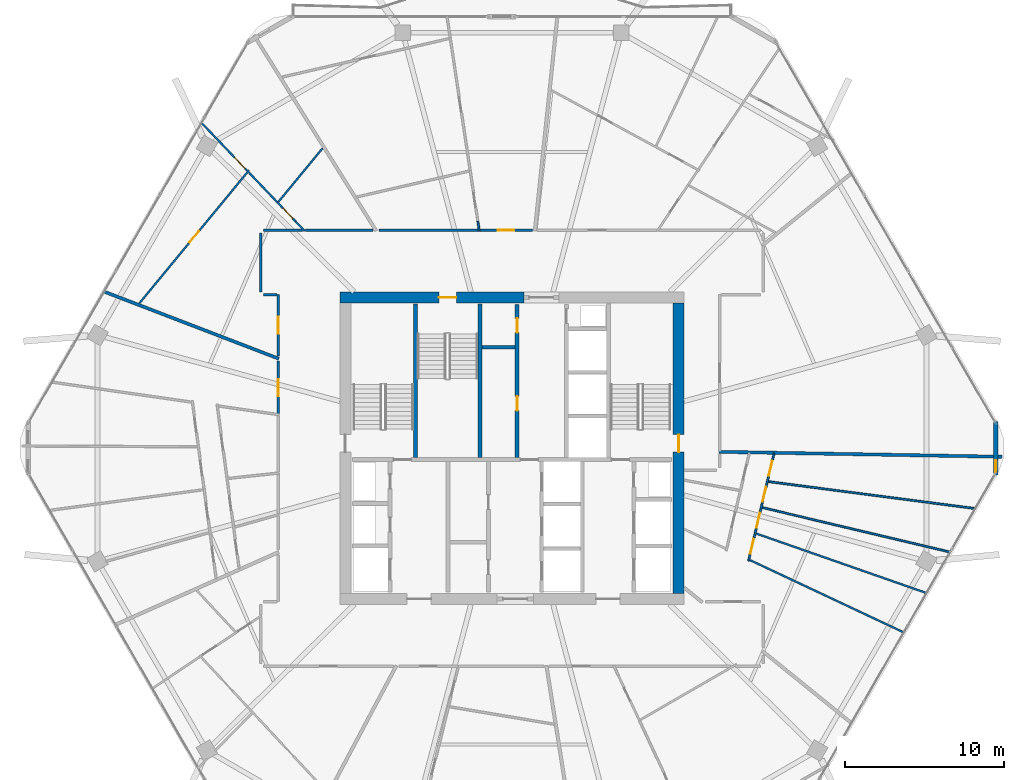
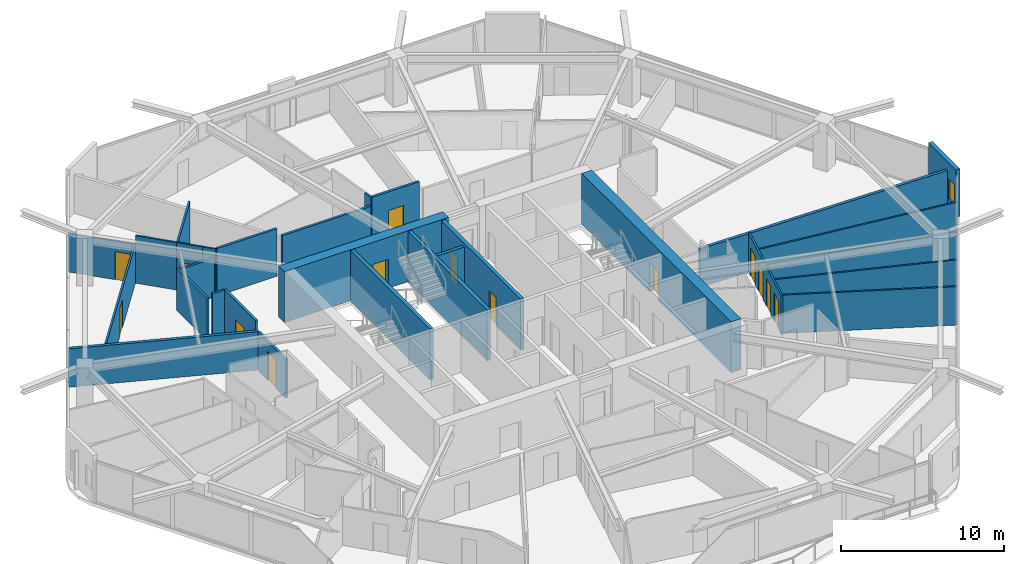
# One storey, part 22 of 27: 29 walls, 14 doors, 1 window, 15 openings.
"""IFC4 building model written with IfcOpenShell, lengths in metres."""

from ifc_helpers import new_model, si_unit, direction, frame, frame_2d, origin, place, context, subcontext, project, spatial, rectangle, extrude, material, layer, layer_set, type_object, element, fill, save


model = new_model("IFC4")

# Units and contexts
model_context = context("Model", 3, precision=1e-05, world=origin(), true_north=direction((0.0, 1.0)))
body_context = subcontext(model_context, "Body", "Model", "MODEL_VIEW")
ifc_project = project(units=[si_unit("LENGTHUNIT", "METRE"), si_unit("AREAUNIT", "SQUARE_METRE"), si_unit("VOLUMEUNIT", "CUBIC_METRE"), si_unit("PLANEANGLEUNIT", "RADIAN"), si_unit("MASSUNIT", "GRAM", prefix="KILO")], contexts=[model_context])

# Site, building, storey
site_placement = place(None, origin())
site = spatial("IfcSite", under=ifc_project, at=site_placement, CompositionType="ELEMENT")
building_placement = place(site_placement, origin())
building = spatial("IfcBuilding", under=site, at=building_placement, Name="Zuhravey Tower", CompositionType="ELEMENT")
storey_placement = place(building_placement, frame((0.0, 0.0, 173.199951171875)))
storey = spatial("IfcBuildingStorey", under=building, at=storey_placement, Name="L43", CompositionType="ELEMENT", Elevation=173.199951171875)

# Wall, opening, door
ifc_material_1 = material(Name="Concrete C60/75", Category="concrete")
ifc_layer_1 = layer(ifc_material_1, 0.699951171875)
ifc_layer_set_1 = layer_set([ifc_layer_1], Name="Concrete C60/75")
wall_type_1 = type_object("IfcWallType", Name="Core Shear Wall 700", PredefinedType="SHEAR", material=ifc_layer_set_1)
wall_1_placement = place(storey_placement, frame((36.75, 41.5, 0.0), z_axis=(0.0, 0.0, 1.0), x_axis=(-1.0, 0.0, 0.0)))
wall_1 = element("IfcWall", 1, at=wall_1_placement, inside=storey, type_object=wall_type_1, Name="L43 North-West Core Shear Wall CW70", PredefinedType="SHEAR", context=body_context, shape_type="SweptSolid", body=[
    extrude(rectangle(XDim=11.60009765625, YDim=0.699951171875, at=frame_2d((5.800048828125, 0.0))), origin(), (0.0, 0.0, 1.0), 3.800048828125),
])
opening_1_placement = place(wall_1_placement, frame((4.25, 0.0, 0.0)))
opening_1 = element("IfcOpeningElement", 2, at=opening_1_placement, cuts=wall_1, Name="Opening STD1", PredefinedType="OPENING", context=body_context, shape_type="SweptSolid", body=[
    extrude(rectangle(XDim=1.10009765625, YDim=2.14990234375, at=frame_2d((0.550048828125, 1.074951171875))), frame((0.0, 0.362060546875, 0.0), z_axis=(0.0, -1.0, 0.0), x_axis=(1.0, 0.0, 0.0)), (0.0, 0.0, 1.0), 0.723876953125),
])
ifc_material_2 = material(Name="Galvanised fire-rated steel leaf", Category="steel")
door_type_1 = type_object("IfcDoorType", Name="Protected Stair Fire Door 1100x2150", OperationType="NOTDEFINED", PredefinedType="USERDEFINED", material=ifc_material_2)
door_1_placement = place(opening_1_placement, origin())
door_1 = element("IfcDoor", 3, at=door_1_placement, inside=storey, type_object=door_type_1, Name="L43 Stair ST3 Door", ObjectType="EXITDOOR", OperationType="SINGLE_SWING_RIGHT", OverallHeight=2.14990234375, OverallWidth=1.10009765625, PredefinedType="USERDEFINED", context=body_context, shape_type="SweptSolid", body=[
    extrude(rectangle(XDim=1.10009765625, YDim=2.14990234375, at=frame_2d((0.550048828125, 1.074951171875))), frame((0.0, 0.02490234375, 0.0), z_axis=(0.0, -1.0, 0.0), x_axis=(1.0, 0.0, 0.0)), (0.0, 0.0, 1.0), 0.050048828125),
])
fill(opening_1, door_1)

wall_2_placement = place(storey_placement, frame((46.5, 22.85009765625, 0.0), z_axis=(0.0, 0.0, 1.0), x_axis=(0.0, 1.0, 0.0)))
wall_2 = element("IfcWall", 4, at=wall_2_placement, inside=storey, type_object=wall_type_1, Name="L43 East Core Shear Wall CW70", PredefinedType="SHEAR", context=body_context, shape_type="SweptSolid", body=[
    extrude(rectangle(XDim=18.2998046875, YDim=0.699951171875, at=frame_2d((9.14990234375, 0.0))), origin(), (0.0, 0.0, 1.0), 3.800048828125),
])
opening_2_placement = place(wall_2_placement, frame((8.89990234375, 0.0, 0.0)))
opening_2 = element("IfcOpeningElement", 5, at=opening_2_placement, cuts=wall_2, Name="Opening STD1", PredefinedType="OPENING", context=body_context, shape_type="SweptSolid", body=[
    extrude(rectangle(XDim=1.10009765625, YDim=2.14990234375, at=frame_2d((0.550048828125, 1.074951171875))), frame((0.0, 0.362060546875, 0.0), z_axis=(0.0, -1.0, 0.0), x_axis=(1.0, 0.0, 0.0)), (0.0, 0.0, 1.0), 0.723876953125),
])
door_2_placement = place(opening_2_placement, origin())
door_2 = element("IfcDoor", 6, at=door_2_placement, inside=storey, type_object=door_type_1, Name="L43 Stair ST2 Door", ObjectType="EXITDOOR", OperationType="SINGLE_SWING_LEFT", OverallHeight=2.14990234375, OverallWidth=1.10009765625, PredefinedType="USERDEFINED", context=body_context, shape_type="SweptSolid", body=[
    extrude(rectangle(XDim=1.10009765625, YDim=2.14990234375, at=frame_2d((0.550048828125, 1.074951171875))), frame((0.0, 0.02490234375, 0.0), z_axis=(0.0, -1.0, 0.0), x_axis=(1.0, 0.0, 0.0)), (0.0, 0.0, 1.0), 0.050048828125),
])
fill(opening_2, door_2)

ifc_material_3 = material(Name="Gypsum fire-rated stud partition")
ifc_layer_2 = layer(ifc_material_3, 0.159912109375)
ifc_layer_set_2 = layer_set([ifc_layer_2], Name="Gypsum fire-rated stud partition")
wall_type_2 = type_object("IfcWallType", Name="Corridor Fire Partition 160", PredefinedType="PARTITIONING", material=ifc_layer_set_2)
wall_3_placement = place(storey_placement, frame((37.302001953125, 45.72998046875, 0.0), z_axis=(0.0, 0.0, 1.0), x_axis=(-1.0, 0.0, 0.0)))
wall_3 = element("IfcWall", 7, at=wall_3_placement, inside=storey, type_object=wall_type_2, Name="L43 IW16 Partition 029", PredefinedType="PARTITIONING", context=body_context, shape_type="SweptSolid", body=[
    extrude(rectangle(XDim=3.348388671875, YDim=0.159912109375, at=frame_2d((1.67431640625, 0.0))), origin(), (0.0, 0.0, 1.0), 3.550048828125),
])
opening_3_placement = place(wall_3_placement, frame((1.149169921875, 0.0, 0.0)))
opening_3 = element("IfcOpeningElement", 8, at=opening_3_placement, cuts=wall_3, Name="Opening APD1", PredefinedType="OPENING", context=body_context, shape_type="SweptSolid", body=[
    extrude(rectangle(XDim=1.050048828125, YDim=2.14990234375, at=frame_2d((0.52490234375, 1.074951171875))), frame((0.0, 0.092041015625, 0.0), z_axis=(0.0, -1.0, 0.0), x_axis=(1.0, 0.0, 0.0)), (0.0, 0.0, 1.0), 0.183837890625),
])
ifc_material_4 = material(Name="Solid-core oak fire-rated leaf")
door_type_2 = type_object("IfcDoorType", Name="Apartment Entrance Fire Door 1050x2150", OperationType="NOTDEFINED", PredefinedType="DOOR", material=ifc_material_4)
door_3_placement = place(opening_3_placement, frame((1.050048828125, 0.0, 0.0), z_axis=(0.0, 0.0, 1.0), x_axis=(-1.0, 0.0, 0.0)))
door_3 = element("IfcDoor", 9, at=door_3_placement, inside=storey, type_object=door_type_2, Name="L43 Door 029.1", OperationType="SINGLE_SWING_LEFT", OverallHeight=2.14990234375, OverallWidth=1.050048828125, PredefinedType="DOOR", context=body_context, shape_type="SweptSolid", body=[
    extrude(rectangle(XDim=1.050048828125, YDim=2.14990234375, at=frame_2d((0.52490234375, 1.074951171875))), frame((0.0, 0.02490234375, 0.0), z_axis=(0.0, -1.0, 0.0), x_axis=(1.0, 0.0, 0.0)), (0.0, 0.0, 1.0), 0.050048828125),
])
fill(opening_3, door_3)

wall_4_placement = place(storey_placement, frame((21.27001953125, 41.669921875, 0.0), z_axis=(0.0, 0.0, 1.0), x_axis=(0.0, -1.0, 0.0)))
wall_4 = element("IfcWall", 10, at=wall_4_placement, inside=storey, type_object=wall_type_2, Name="L43 IW16 Partition 034", PredefinedType="PARTITIONING", context=body_context, shape_type="SweptSolid", body=[
    extrude(rectangle(XDim=3.84619140625, YDim=0.159912109375, at=frame_2d((1.923095703125, 0.0))), origin(), (0.0, 0.0, 1.0), 3.550048828125),
])
opening_4_placement = place(wall_4_placement, frame((1.398193359375, 0.0, 0.0)))
opening_4 = element("IfcOpeningElement", 11, at=opening_4_placement, cuts=wall_4, Name="Opening APD1", PredefinedType="OPENING", context=body_context, shape_type="SweptSolid", body=[
    extrude(rectangle(XDim=1.050048828125, YDim=2.14990234375, at=frame_2d((0.52490234375, 1.074951171875))), frame((0.0, 0.092041015625, 0.0), z_axis=(0.0, -1.0, 0.0), x_axis=(1.0, 0.0, 0.0)), (0.0, 0.0, 1.0), 0.183837890625),
])
door_4_placement = place(opening_4_placement, frame((1.050048828125, 0.0, 0.0), z_axis=(0.0, 0.0, 1.0), x_axis=(-1.0, 0.0, 0.0)))
door_4 = element("IfcDoor", 12, at=door_4_placement, inside=storey, type_object=door_type_2, Name="L43 Door 034.1", OperationType="SINGLE_SWING_LEFT", OverallHeight=2.14990234375, OverallWidth=1.050048828125, PredefinedType="DOOR", context=body_context, shape_type="SweptSolid", body=[
    extrude(rectangle(XDim=1.050048828125, YDim=2.14990234375, at=frame_2d((0.52490234375, 1.074951171875))), frame((0.0, 0.02490234375, 0.0), z_axis=(0.0, -1.0, 0.0), x_axis=(1.0, 0.0, 0.0)), (0.0, 0.0, 1.0), 0.050048828125),
])
fill(opening_4, door_4)

wall_5_placement = place(storey_placement, frame((21.27001953125, 37.486083984375, 0.0), z_axis=(0.0, 0.0, 1.0), x_axis=(0.0, -1.0, 0.0)))
wall_5 = element("IfcWall", 13, at=wall_5_placement, inside=storey, type_object=wall_type_2, Name="L43 IW16 Partition 037", PredefinedType="PARTITIONING", context=body_context, shape_type="SweptSolid", body=[
    extrude(rectangle(XDim=3.348388671875, YDim=0.159912109375, at=frame_2d((1.67431640625, 0.0))), origin(), (0.0, 0.0, 1.0), 2.900146484375),
])
opening_5_placement = place(wall_5_placement, frame((1.149169921875, 0.0, 0.0)))
opening_5 = element("IfcOpeningElement", 14, at=opening_5_placement, cuts=wall_5, Name="Opening APD1", PredefinedType="OPENING", context=body_context, shape_type="SweptSolid", body=[
    extrude(rectangle(XDim=1.050048828125, YDim=2.14990234375, at=frame_2d((0.52490234375, 1.074951171875))), frame((0.0, 0.092041015625, 0.0), z_axis=(0.0, -1.0, 0.0), x_axis=(1.0, 0.0, 0.0)), (0.0, 0.0, 1.0), 0.183837890625),
])
door_5_placement = place(opening_5_placement, frame((1.050048828125, 0.0, 0.0), z_axis=(0.0, 0.0, 1.0), x_axis=(-1.0, 0.0, 0.0)))
door_5 = element("IfcDoor", 15, at=door_5_placement, inside=storey, type_object=door_type_2, Name="L43 Door 037.1", OperationType="SINGLE_SWING_LEFT", OverallHeight=2.14990234375, OverallWidth=1.050048828125, PredefinedType="DOOR", context=body_context, shape_type="SweptSolid", body=[
    extrude(rectangle(XDim=1.050048828125, YDim=2.14990234375, at=frame_2d((0.52490234375, 1.074951171875))), frame((0.0, 0.02490234375, 0.0), z_axis=(0.0, -1.0, 0.0), x_axis=(1.0, 0.0, 0.0)), (0.0, 0.0, 1.0), 0.050048828125),
])
fill(opening_5, door_5)

# Walls
wall_6_placement = place(storey_placement, frame((33.864501953125, 45.72998046875, 0.0), z_axis=(0.0, 0.0, 1.0), x_axis=(-1.0, 0.0, 0.0)))
element("IfcWall", 16, at=wall_6_placement, inside=storey, type_object=wall_type_2, Name="L43 IW16 Partition 106", PredefinedType="PARTITIONING", context=body_context, shape_type="SweptSolid", body=[
    extrude(rectangle(XDim=6.2548828125, YDim=0.159912109375, at=frame_2d((3.12744140625, 0.0))), origin(), (0.0, 0.0, 1.0), 2.900146484375),
])
wall_7_placement = place(storey_placement, frame((20.169921875, 45.550048828125, 0.0), z_axis=(0.0, 0.0, 1.0), x_axis=(0.0, -1.0, 0.0)))
element("IfcWall", 17, at=wall_7_placement, inside=storey, type_object=wall_type_2, Name="L43 IW16 Partition 107", PredefinedType="PARTITIONING", context=body_context, shape_type="SweptSolid", body=[
    extrude(rectangle(XDim=3.699951171875, YDim=0.159912109375, at=frame_2d((1.85009765625, 0.0))), origin(), (0.0, 0.0, 1.0), 3.150146484375),
])
wall_8_placement = place(storey_placement, frame((22.8037109375, 45.72998046875, 0.0), z_axis=(0.0, 0.0, 1.0), x_axis=(-1.0, 0.0, 0.0)))
element("IfcWall", 18, at=wall_8_placement, inside=storey, type_object=wall_type_2, Name="L43 IW16 Partition 108", PredefinedType="PARTITIONING", context=body_context, shape_type="SweptSolid", body=[
    extrude(rectangle(XDim=2.45361328125, YDim=0.159912109375, at=frame_2d((1.226806640625, 0.0))), origin(), (0.0, 0.0, 1.0), 2.900146484375),
])
wall_9_placement = place(storey_placement, frame((20.35009765625, 41.669921875, 0.0), z_axis=(0.0, 0.0, 1.0), x_axis=(1.0, 0.0, 0.0)))
element("IfcWall", 19, at=wall_9_placement, inside=storey, type_object=wall_type_2, Name="L43 IW16 Partition 109", PredefinedType="PARTITIONING", context=body_context, shape_type="SweptSolid", body=[
    extrude(rectangle(XDim=0.831787109375, YDim=0.159912109375, at=frame_2d((0.416015625, 0.0))), origin(), (0.0, 0.0, 1.0), 3.550048828125),
])
wall_10_placement = place(storey_placement, frame((27.229248046875, 45.72998046875, 0.0), z_axis=(0.0, 0.0, 1.0), x_axis=(-1.0, 0.0, 0.0)))
element("IfcWall", 20, at=wall_10_placement, inside=storey, type_object=wall_type_2, Name="L43 IW16 Partition 110", PredefinedType="PARTITIONING", context=body_context, shape_type="SweptSolid", body=[
    extrude(rectangle(XDim=4.241455078125, YDim=0.159912109375, at=frame_2d((2.12060546875, 0.0))), origin(), (0.0, 0.0, 1.0), 3.550048828125),
])

# Wall, opening, window
ifc_material_5 = material(Name="Precast concrete C40/50", Category="concrete")
ifc_layer_3 = layer(ifc_material_5, 0.280029296875)
ifc_layer_set_3 = layer_set([ifc_layer_3], Name="Precast concrete C40/50")
wall_type_3 = type_object("IfcWallType", Name="Crown Architectural Wall 280", PredefinedType="SOLIDWALL", material=ifc_layer_set_3)
wall_11_placement = place(storey_placement, frame((66.4716796875, 33.6826171875, 0.0), z_axis=(0.0, 0.0, 1.0), x_axis=(0.0, -1.0, 0.0)))
wall_11 = element("IfcWall", 21, at=wall_11_placement, inside=storey, type_object=wall_type_3, Name="L43 Rounded Corner Closure Wall EW28-12", PredefinedType="SOLIDWALL", context=body_context, shape_type="SweptSolid", body=[
    extrude(rectangle(XDim=3.365234375, YDim=0.280029296875, at=frame_2d((1.6826171875, 0.0))), origin(), (0.0, 0.0, 1.0), 3.550048828125),
])
opening_6_placement = place(wall_11_placement, frame((2.435791015625, 0.0, 0.85009765625)))
opening_6 = element("IfcOpeningElement", 22, at=opening_6_placement, cuts=wall_11, Name="Opening WN5", PredefinedType="OPENING", context=body_context, shape_type="SweptSolid", body=[
    extrude(rectangle(XDim=0.75, YDim=1.5, at=frame_2d((0.375, 0.75))), frame((0.0, 0.152099609375, 0.0), z_axis=(0.0, -1.0, 0.0), x_axis=(1.0, 0.0, 0.0)), (0.0, 0.0, 1.0), 0.303955078125),
])
ifc_material_6 = material(Name="Thermally broken aluminium and triple low-E glass", Category="aluminium")
window_type = type_object("IfcWindowType", Name="Residential Corner Casement Window 750x1500", PartitioningType="SINGLE_PANEL", PredefinedType="WINDOW", material=ifc_material_6)
window_placement = place(opening_6_placement, origin())
window = element("IfcWindow", 23, at=window_placement, inside=storey, type_object=window_type, Name="L43 Corner Casement Window WN5-12.1", OverallHeight=1.5, OverallWidth=0.75, PartitioningType="SINGLE_PANEL", PredefinedType="WINDOW", context=body_context, shape_type="SweptSolid", body=[
    extrude(rectangle(XDim=0.75, YDim=1.5, at=frame_2d((0.375, 0.75))), frame((0.0, 0.030029296875, 0.0), z_axis=(0.0, -1.0, 0.0), x_axis=(1.0, 0.0, 0.0)), (0.0, 0.0, 1.0), 0.06005859375),
])
fill(opening_6, window)

# Walls
ifc_material_7 = material(Name="Concrete C50/60", Category="concrete")
ifc_layer_4 = layer(ifc_material_7, 0.25)
ifc_layer_set_4 = layer_set([ifc_layer_4], Name="Concrete C50/60")
wall_type_4 = type_object("IfcWallType", Name="Firefighting Shaft & Stair Wall 250", PredefinedType="SOLIDWALL", material=ifc_layer_set_4)
for number, where, z_axis, x_axis, name in (
    (24, (29.925048828125, 31.39990234375, 0.0), (0.0, 0.0, 1.0), (0.0, 1.0, 0.0), "L43 FW25 Shaft Wall 004"),
    (25, (33.97509765625, 31.39990234375, 0.0), (0.0, 0.0, 1.0), (0.0, 1.0, 0.0), "L43 FW25 Shaft Wall 005"),
):
    element("IfcWall", number, at=place(storey_placement, frame(where, z_axis=z_axis, x_axis=x_axis)), inside=storey, type_object=wall_type_4, Name=name, PredefinedType="SOLIDWALL", context=body_context, shape_type="SweptSolid", body=[
        extrude(rectangle(XDim=9.7001953125, YDim=0.25, at=frame_2d((4.85009765625, 0.0))), origin(), (0.0, 0.0, 1.0), 3.800048828125),
    ])

# Wall, openings, doors
wall_12_placement = place(storey_placement, frame((36.324951171875, 31.39990234375, 0.0), z_axis=(0.0, 0.0, 1.0), x_axis=(0.0, 1.0, 0.0)))
wall_12 = element("IfcWall", 26, at=wall_12_placement, inside=storey, type_object=wall_type_4, Name="L43 FW25 Shaft Wall 007", PredefinedType="SOLIDWALL", context=body_context, shape_type="SweptSolid", body=[
    extrude(rectangle(XDim=9.650146484375, YDim=0.25, at=frame_2d((4.8251953125, 0.0))), origin(), (0.0, 0.0, 1.0), 3.800048828125),
])
opening_7_placement = place(wall_12_placement, frame((2.965087890625, 0.0, 0.0)))
opening_7 = element("IfcOpeningElement", 27, at=opening_7_placement, cuts=wall_12, Name="Opening RSD1", PredefinedType="OPENING", context=body_context, shape_type="SweptSolid", body=[
    extrude(rectangle(XDim=0.89990234375, YDim=2.10009765625, at=frame_2d((0.449951171875, 1.050048828125))), frame((0.0, 0.136962890625, 0.0), z_axis=(0.0, -1.0, 0.0), x_axis=(1.0, 0.0, 0.0)), (0.0, 0.0, 1.0), 0.27392578125),
])
opening_8_placement = place(wall_12_placement, frame((7.885009765625, 0.0, 0.0)))
opening_8 = element("IfcOpeningElement", 28, at=opening_8_placement, cuts=wall_12, Name="Opening RSD1", PredefinedType="OPENING", context=body_context, shape_type="SweptSolid", body=[
    extrude(rectangle(XDim=0.89990234375, YDim=2.10009765625, at=frame_2d((0.449951171875, 1.050048828125))), frame((0.0, 0.136962890625, 0.0), z_axis=(0.0, -1.0, 0.0), x_axis=(1.0, 0.0, 0.0)), (0.0, 0.0, 1.0), 0.27392578125),
])
ifc_material_8 = material(Name="Galvanised fire-rated steel access leaf", Category="steel")
door_type_3 = type_object("IfcDoorType", Name="Riser & Shaft Access Fire Door 900x2100", OperationType="NOTDEFINED", PredefinedType="DOOR", material=ifc_material_8)
door_6_placement = place(opening_7_placement, origin())
door_6 = element("IfcDoor", 29, at=door_6_placement, inside=storey, type_object=door_type_3, Name="L43 Equipment and Refuse Store Door", OperationType="SINGLE_SWING_RIGHT", OverallHeight=2.10009765625, OverallWidth=0.89990234375, PredefinedType="DOOR", context=body_context, shape_type="SweptSolid", body=[
    extrude(rectangle(XDim=0.89990234375, YDim=2.10009765625, at=frame_2d((0.449951171875, 1.050048828125))), frame((0.0, 0.02490234375, 0.0), z_axis=(0.0, -1.0, 0.0), x_axis=(1.0, 0.0, 0.0)), (0.0, 0.0, 1.0), 0.050048828125),
])
fill(opening_7, door_6)
door_7_placement = place(opening_8_placement, origin())
door_7 = element("IfcDoor", 30, at=door_7_placement, inside=storey, type_object=door_type_3, Name="L43 BMS Control Room Door", OperationType="SINGLE_SWING_LEFT", OverallHeight=2.10009765625, OverallWidth=0.89990234375, PredefinedType="DOOR", context=body_context, shape_type="SweptSolid", body=[
    extrude(rectangle(XDim=0.89990234375, YDim=2.10009765625, at=frame_2d((0.449951171875, 1.050048828125))), frame((0.0, 0.02490234375, 0.0), z_axis=(0.0, -1.0, 0.0), x_axis=(1.0, 0.0, 0.0)), (0.0, 0.0, 1.0), 0.050048828125),
])
fill(opening_8, door_7)

# Walls
ifc_material_9 = material(Name="Gypsum double-stud party assembly")
ifc_layer_5 = layer(ifc_material_9, 0.199951171875)
ifc_layer_set_5 = layer_set([ifc_layer_5], Name="Gypsum double-stud party assembly")
wall_type_5 = type_object("IfcWallType", Name="Inter-Tenancy Party Wall 200", PredefinedType="PARTITIONING", material=ifc_layer_set_5)
wall_13_placement = place(storey_placement, frame((21.31005859375, 37.638916015625, 0.0), z_axis=(0.0, 0.0, 1.0), x_axis=(-0.93357709865, 0.358376618762, 0.0)))
element("IfcWall", 31, at=wall_13_placement, inside=storey, type_object=wall_type_5, Name="L43 IW20 Partition 073", PredefinedType="PARTITIONING", context=body_context, shape_type="SweptSolid", body=[
    extrude(rectangle(XDim=11.786865234375, YDim=0.199951171875, at=frame_2d((5.8935546875, 0.0))), origin(), (0.0, 0.0, 1.0), 2.8701171875),
])
wall_14_placement = place(storey_placement, frame((49.0400390625, 31.7724609375, 0.0), z_axis=(0.0, 0.0, 1.0), x_axis=(0.999847668402, -0.017453939101, 0.0)))
element("IfcWall", 32, at=wall_14_placement, inside=storey, type_object=wall_type_5, Name="L43 IW20 Partition 103", PredefinedType="PARTITIONING", context=body_context, shape_type="SweptSolid", body=[
    extrude(rectangle(XDim=17.8203125, YDim=0.199951171875, at=frame_2d((8.91015625, 0.0))), origin(), (0.0, 0.0, 1.0), 2.8701171875),
])
ifc_material_10 = material(Name="Gypsum acoustic stud assembly")
ifc_layer_6 = layer(ifc_material_10, 0.219970703125)
ifc_layer_set_6 = layer_set([ifc_layer_6], Name="Gypsum acoustic stud assembly")
wall_type_6 = type_object("IfcWallType", Name="School Acoustic Compartment Wall 220", PredefinedType="PARTITIONING", material=ifc_layer_set_6)
wall_15_placement = place(storey_placement, frame((34.10791015625, 38.35009765625, 0.0), z_axis=(0.0, 0.0, 1.0), x_axis=(1.0, 0.0, 0.0)))
element("IfcWall", 33, at=wall_15_placement, inside=storey, type_object=wall_type_6, Name="L43 IW22 Partition 055", PredefinedType="PARTITIONING", context=body_context, shape_type="SweptSolid", body=[
    extrude(rectangle(XDim=2.083984375, YDim=0.219970703125, at=frame_2d((1.0419921875, 0.0))), origin(), (0.0, 0.0, 1.0), 3.550048828125),
])

# Wall, opening, door
ifc_material_11 = material(Name="Gypsum metal-stud partition")
ifc_layer_7 = layer(ifc_material_11, 0.1201171875)
ifc_layer_set_7 = layer_set([ifc_layer_7], Name="Gypsum metal-stud partition")
wall_type_7 = type_object("IfcWallType", Name="Unit Internal Partition 120", PredefinedType="PARTITIONING", material=ifc_layer_set_7)
wall_16_placement = place(storey_placement, frame((19.4296875, 49.5087890625, 0.0), z_axis=(0.0, 0.0, 1.0), x_axis=(-0.636077930037, -0.771624822643, 0.0)))
wall_16 = element("IfcWall", 34, at=wall_16_placement, inside=storey, type_object=wall_type_7, Name="L43 IW12 Partition 030", PredefinedType="PARTITIONING", context=body_context, shape_type="SweptSolid", body=[
    extrude(rectangle(XDim=10.848388671875, YDim=0.1201171875, at=frame_2d((5.42431640625, 0.0))), origin(), (0.0, 0.0, 1.0), 2.900146484375),
])
opening_9_placement = place(wall_16_placement, frame((4.94921875, 0.0, 0.0)))
opening_9 = element("IfcOpeningElement", 35, at=opening_9_placement, cuts=wall_16, Name="Opening IND1", PredefinedType="OPENING", context=body_context, shape_type="SweptSolid", body=[
    extrude(rectangle(XDim=0.949951171875, YDim=2.10009765625, at=frame_2d((0.47509765625, 1.050048828125))), frame((0.0, 0.072021484375, 0.0), z_axis=(0.0, -1.0, 0.0), x_axis=(1.0, 0.0, 0.0)), (0.0, 0.0, 1.0), 0.14404296875),
])
ifc_material_12 = material(Name="Painted engineered timber leaf", Category="wood")
door_type_4 = type_object("IfcDoorType", Name="Internal Room & Bedroom Door 950x2100", OperationType="NOTDEFINED", PredefinedType="DOOR", material=ifc_material_12)
door_8_placement = place(opening_9_placement, frame((0.949951171875, 0.0, 0.0), z_axis=(0.0, 0.0, 1.0), x_axis=(-1.0, 0.0, 0.0)))
door_8 = element("IfcDoor", 36, at=door_8_placement, inside=storey, type_object=door_type_4, Name="Apartment L43-03 Family Study Door", OperationType="SINGLE_SWING_RIGHT", OverallHeight=2.10009765625, OverallWidth=0.949951171875, PredefinedType="DOOR", context=body_context, shape_type="SweptSolid", body=[
    extrude(rectangle(XDim=0.949951171875, YDim=2.10009765625, at=frame_2d((0.47509765625, 1.050048828125))), frame((0.0, 0.02490234375, 0.0), z_axis=(0.0, -1.0, 0.0), x_axis=(1.0, 0.0, 0.0)), (0.0, 0.0, 1.0), 0.050048828125),
])
fill(opening_9, door_8)

wall_17_placement = place(storey_placement, frame((22.353759765625, 46.300048828125, 0.0), z_axis=(0.0, 0.0, 1.0), x_axis=(-0.690394331583, 0.723433249801, 0.0)))
wall_17 = element("IfcWall", 37, at=wall_17_placement, inside=storey, type_object=wall_type_7, Name="L43 IW12 Partition 031", PredefinedType="PARTITIONING", context=body_context, shape_type="SweptSolid", body=[
    extrude(rectangle(XDim=1.640380859375, YDim=0.1201171875, at=frame_2d((0.8203125, 0.0))), origin(), (0.0, 0.0, 1.0), 3.550048828125),
])
opening_10_placement = place(wall_17_placement, frame((0.239013671875, 0.0, 0.0)))
opening_10 = element("IfcOpeningElement", 38, at=opening_10_placement, cuts=wall_17, Name="Opening WCD1", PredefinedType="OPENING", context=body_context, shape_type="SweptSolid", body=[
    extrude(rectangle(XDim=0.89990234375, YDim=2.10009765625, at=frame_2d((0.449951171875, 1.050048828125))), frame((0.0, 0.072021484375, 0.0), z_axis=(0.0, -1.0, 0.0), x_axis=(1.0, 0.0, 0.0)), (0.0, 0.0, 1.0), 0.14404296875),
])
ifc_material_13 = material(Name="Moisture-resistant timber leaf", Category="wood")
door_type_5 = type_object("IfcDoorType", Name="Bathroom & WC Internal Door 900x2100", OperationType="NOTDEFINED", PredefinedType="DOOR", material=ifc_material_13)
door_9_placement = place(opening_10_placement, frame((0.89990234375, 0.0, 0.0), z_axis=(0.0, 0.0, 1.0), x_axis=(-1.0, 0.0, 0.0)))
door_9 = element("IfcDoor", 39, at=door_9_placement, inside=storey, type_object=door_type_5, Name="Apartment L43-03 Bathroom Door", OperationType="SINGLE_SWING_LEFT", OverallHeight=2.10009765625, OverallWidth=0.89990234375, PredefinedType="DOOR", context=body_context, shape_type="SweptSolid", body=[
    extrude(rectangle(XDim=0.89990234375, YDim=2.10009765625, at=frame_2d((0.449951171875, 1.050048828125))), frame((0.0, 0.02490234375, 0.0), z_axis=(0.0, -1.0, 0.0), x_axis=(1.0, 0.0, 0.0)), (0.0, 0.0, 1.0), 0.050048828125),
])
fill(opening_10, door_9)

# Wall
wall_18_placement = place(storey_placement, frame((21.22119140625, 47.48681640625, 0.0), z_axis=(0.0, 0.0, 1.0), x_axis=(-0.690367102985, 0.723459233901, 0.0)))
element("IfcWall", 40, at=wall_18_placement, inside=storey, type_object=wall_type_7, Name="L43 IW12 Partition 032", PredefinedType="PARTITIONING", context=body_context, shape_type="SweptSolid", body=[
    extrude(rectangle(XDim=2.619140625, YDim=0.1201171875, at=frame_2d((1.3095703125, 0.0))), origin(), (0.0, 0.0, 1.0), 3.550048828125),
])

# Wall, opening, door
wall_19_placement = place(storey_placement, frame((19.318603515625, 49.480712890625, 0.0), z_axis=(0.0, 0.0, 1.0), x_axis=(-0.690401934282, 0.723425994238, 0.0)))
wall_19 = element("IfcWall", 41, at=wall_19_placement, inside=storey, type_object=wall_type_7, Name="L43 IW12 Partition 033", PredefinedType="PARTITIONING", context=body_context, shape_type="SweptSolid", body=[
    extrude(rectangle(XDim=4.16943359375, YDim=0.1201171875, at=frame_2d((2.084716796875, 0.0))), origin(), (0.0, 0.0, 1.0), 2.8701171875),
])
opening_11_placement = place(wall_19_placement, frame((0.206787109375, 0.0, 0.0)))
opening_11 = element("IfcOpeningElement", 42, at=opening_11_placement, cuts=wall_19, Name="Opening IND1", PredefinedType="OPENING", context=body_context, shape_type="SweptSolid", body=[
    extrude(rectangle(XDim=0.949951171875, YDim=2.10009765625, at=frame_2d((0.47509765625, 1.050048828125))), frame((0.0, 0.072021484375, 0.0), z_axis=(0.0, -1.0, 0.0), x_axis=(1.0, 0.0, 0.0)), (0.0, 0.0, 1.0), 0.14404296875),
])
door_10_placement = place(opening_11_placement, frame((0.949951171875, 0.0, 0.0), z_axis=(0.0, 0.0, 1.0), x_axis=(-1.0, 0.0, 0.0)))
door_10 = element("IfcDoor", 43, at=door_10_placement, inside=storey, type_object=door_type_4, Name="Apartment L43-03 Bedroom 1 Door", OperationType="SINGLE_SWING_RIGHT", OverallHeight=2.10009765625, OverallWidth=0.949951171875, PredefinedType="DOOR", context=body_context, shape_type="SweptSolid", body=[
    extrude(rectangle(XDim=0.949951171875, YDim=2.10009765625, at=frame_2d((0.47509765625, 1.050048828125))), frame((0.0, 0.02490234375, 0.0), z_axis=(0.0, -1.0, 0.0), x_axis=(1.0, 0.0, 0.0)), (0.0, 0.0, 1.0), 0.050048828125),
])
fill(opening_11, door_10)

# Wall, openings, doors
wall_20_placement = place(storey_placement, frame((50.901123046875, 24.8837890625, 0.0), z_axis=(0.0, 0.0, 1.0), x_axis=(0.230727269758, 0.973018461793, 0.0)))
wall_20 = element("IfcWall", 44, at=wall_20_placement, inside=storey, type_object=wall_type_7, Name="L43 IW12 Partition 052", PredefinedType="PARTITIONING", context=body_context, shape_type="SweptSolid", body=[
    extrude(rectangle(XDim=6.97216796875, YDim=0.1201171875, at=frame_2d((3.486083984375, 0.0))), origin(), (0.0, 0.0, 1.0), 2.900146484375),
])
opening_12_placement = place(wall_20_placement, frame((0.481201171875, 0.0, 0.0)))
opening_12 = element("IfcOpeningElement", 45, at=opening_12_placement, cuts=wall_20, Name="Opening IND1", PredefinedType="OPENING", context=body_context, shape_type="SweptSolid", body=[
    extrude(rectangle(XDim=0.949951171875, YDim=2.10009765625, at=frame_2d((0.47509765625, 1.050048828125))), frame((0.0, 0.072021484375, 0.0), z_axis=(0.0, -1.0, 0.0), x_axis=(1.0, 0.0, 0.0)), (0.0, 0.0, 1.0), 0.14404296875),
])
opening_13_placement = place(wall_20_placement, frame((2.173828125, 0.0, 0.0)))
opening_13 = element("IfcOpeningElement", 46, at=opening_13_placement, cuts=wall_20, Name="Opening IND1", PredefinedType="OPENING", context=body_context, shape_type="SweptSolid", body=[
    extrude(rectangle(XDim=0.949951171875, YDim=2.10009765625, at=frame_2d((0.47509765625, 1.050048828125))), frame((0.0, 0.072021484375, 0.0), z_axis=(0.0, -1.0, 0.0), x_axis=(1.0, 0.0, 0.0)), (0.0, 0.0, 1.0), 0.14404296875),
])
opening_14_placement = place(wall_20_placement, frame((3.84814453125, 0.0, 0.0)))
opening_14 = element("IfcOpeningElement", 47, at=opening_14_placement, cuts=wall_20, Name="Opening IND1", PredefinedType="OPENING", context=body_context, shape_type="SweptSolid", body=[
    extrude(rectangle(XDim=0.949951171875, YDim=2.10009765625, at=frame_2d((0.47509765625, 1.050048828125))), frame((0.0, 0.072021484375, 0.0), z_axis=(0.0, -1.0, 0.0), x_axis=(1.0, 0.0, 0.0)), (0.0, 0.0, 1.0), 0.14404296875),
])
opening_15_placement = place(wall_20_placement, frame((5.540771484375, 0.0, 0.0)))
opening_15 = element("IfcOpeningElement", 48, at=opening_15_placement, cuts=wall_20, Name="Opening IND1", PredefinedType="OPENING", context=body_context, shape_type="SweptSolid", body=[
    extrude(rectangle(XDim=0.949951171875, YDim=2.10009765625, at=frame_2d((0.47509765625, 1.050048828125))), frame((0.0, 0.072021484375, 0.0), z_axis=(0.0, -1.0, 0.0), x_axis=(1.0, 0.0, 0.0)), (0.0, 0.0, 1.0), 0.14404296875),
])
door_11_placement = place(opening_12_placement, frame((0.949951171875, 0.0, 0.0), z_axis=(0.0, 0.0, 1.0), x_axis=(-1.0, 0.0, 0.0)))
door_11 = element("IfcDoor", 49, at=door_11_placement, inside=storey, type_object=door_type_4, Name="Apartment L43-08 Bedroom 1 Door", OperationType="SINGLE_SWING_LEFT", OverallHeight=2.10009765625, OverallWidth=0.949951171875, PredefinedType="DOOR", context=body_context, shape_type="SweptSolid", body=[
    extrude(rectangle(XDim=0.949951171875, YDim=2.10009765625, at=frame_2d((0.47509765625, 1.050048828125))), frame((0.0, 0.02490234375, 0.0), z_axis=(0.0, -1.0, 0.0), x_axis=(1.0, 0.0, 0.0)), (0.0, 0.0, 1.0), 0.050048828125),
])
fill(opening_12, door_11)
door_12_placement = place(opening_13_placement, frame((0.949951171875, 0.0, 0.0), z_axis=(0.0, 0.0, 1.0), x_axis=(-1.0, 0.0, 0.0)))
door_12 = element("IfcDoor", 50, at=door_12_placement, inside=storey, type_object=door_type_4, Name="Apartment L43-08 Bedroom 2 Door", OperationType="SINGLE_SWING_RIGHT", OverallHeight=2.10009765625, OverallWidth=0.949951171875, PredefinedType="DOOR", context=body_context, shape_type="SweptSolid", body=[
    extrude(rectangle(XDim=0.949951171875, YDim=2.10009765625, at=frame_2d((0.47509765625, 1.050048828125))), frame((0.0, 0.02490234375, 0.0), z_axis=(0.0, -1.0, 0.0), x_axis=(1.0, 0.0, 0.0)), (0.0, 0.0, 1.0), 0.050048828125),
])
fill(opening_13, door_12)
door_13_placement = place(opening_14_placement, frame((0.949951171875, 0.0, 0.0), z_axis=(0.0, 0.0, 1.0), x_axis=(-1.0, 0.0, 0.0)))
door_13 = element("IfcDoor", 51, at=door_13_placement, inside=storey, type_object=door_type_4, Name="Apartment L43-08 Bedroom 3 Door", OperationType="SINGLE_SWING_LEFT", OverallHeight=2.10009765625, OverallWidth=0.949951171875, PredefinedType="DOOR", context=body_context, shape_type="SweptSolid", body=[
    extrude(rectangle(XDim=0.949951171875, YDim=2.10009765625, at=frame_2d((0.47509765625, 1.050048828125))), frame((0.0, 0.02490234375, 0.0), z_axis=(0.0, -1.0, 0.0), x_axis=(1.0, 0.0, 0.0)), (0.0, 0.0, 1.0), 0.050048828125),
])
fill(opening_14, door_13)
door_14_placement = place(opening_15_placement, frame((0.949951171875, 0.0, 0.0), z_axis=(0.0, 0.0, 1.0), x_axis=(-1.0, 0.0, 0.0)))
door_14 = element("IfcDoor", 52, at=door_14_placement, inside=storey, type_object=door_type_4, Name="Apartment L43-08 Bedroom 4 Door", OperationType="SINGLE_SWING_RIGHT", OverallHeight=2.10009765625, OverallWidth=0.949951171875, PredefinedType="DOOR", context=body_context, shape_type="SweptSolid", body=[
    extrude(rectangle(XDim=0.949951171875, YDim=2.10009765625, at=frame_2d((0.47509765625, 1.050048828125))), frame((0.0, 0.02490234375, 0.0), z_axis=(0.0, -1.0, 0.0), x_axis=(1.0, 0.0, 0.0)), (0.0, 0.0, 1.0), 0.050048828125),
])
fill(opening_15, door_14)

# Walls
wall_21_placement = place(storey_placement, frame((33.940185546875, 45.685302734375, 0.0), z_axis=(0.0, 0.0, 1.0), x_axis=(-0.148839731884, 0.988861332146, 0.0)))
element("IfcWall", 53, at=wall_21_placement, inside=storey, type_object=wall_type_7, Name="L43 IW12 Partition 067", PredefinedType="PARTITIONING", context=body_context, shape_type="SweptSolid", body=[
    extrude(rectangle(XDim=0.62158203125, YDim=0.1201171875, at=frame_2d((0.310791015625, 0.0))), origin(), (0.0, 0.0, 1.0), 3.550048828125),
])
wall_22_placement = place(storey_placement, frame((22.940673828125, 45.68505859375, 0.0), z_axis=(0.0, 0.0, 1.0), x_axis=(-0.690400608296, 0.723427259691, 0.0)))
element("IfcWall", 54, at=wall_22_placement, inside=storey, type_object=wall_type_7, Name="L43 IW12 Partition 071", PredefinedType="PARTITIONING", context=body_context, shape_type="SweptSolid", body=[
    extrude(rectangle(XDim=0.85009765625, YDim=0.1201171875, at=frame_2d((0.425048828125, 0.0))), origin(), (0.0, 0.0, 1.0), 3.550048828125),
])
wall_23_placement = place(storey_placement, frame((24.064697265625, 50.896728515625, 0.0), z_axis=(0.0, 0.0, 1.0), x_axis=(-0.636096479455, -0.771609531321, 0.0)))
element("IfcWall", 55, at=wall_23_placement, inside=storey, type_object=wall_type_7, Name="L43 IW12 Partition 072", PredefinedType="PARTITIONING", context=body_context, shape_type="SweptSolid", body=[
    extrude(rectangle(XDim=4.374267578125, YDim=0.1201171875, at=frame_2d((2.18701171875, 0.0))), origin(), (0.0, 0.0, 1.0), 3.550048828125),
])
wall_24_placement = place(storey_placement, frame((51.3837890625, 26.624755859375, 0.0), z_axis=(0.0, 0.0, 1.0), x_axis=(0.944033449878, -0.329849731714, 0.0)))
element("IfcWall", 56, at=wall_24_placement, inside=storey, type_object=wall_type_7, Name="L43 IW12 Partition 098", PredefinedType="PARTITIONING", context=body_context, shape_type="SweptSolid", body=[
    extrude(rectangle(XDim=11.382080078125, YDim=0.1201171875, at=frame_2d((5.69091796875, 0.0))), origin(), (0.0, 0.0, 1.0), 2.8701171875),
])
wall_25_placement = place(storey_placement, frame((51.771728515625, 28.260009765625, 0.0), z_axis=(0.0, 0.0, 1.0), x_axis=(0.973016228648, -0.230736687131, 0.0)))
element("IfcWall", 57, at=wall_25_placement, inside=storey, type_object=wall_type_7, Name="L43 IW12 Partition 099", PredefinedType="PARTITIONING", context=body_context, shape_type="SweptSolid", body=[
    extrude(rectangle(XDim=12.175537109375, YDim=0.1201171875, at=frame_2d((6.087890625, 0.0))), origin(), (0.0, 0.0, 1.0), 2.8701171875),
])
wall_26_placement = place(storey_placement, frame((52.159423828125, 29.8955078125, 0.0), z_axis=(0.0, 0.0, 1.0), x_axis=(0.991627193539, -0.129133686673, 0.0)))
element("IfcWall", 58, at=wall_26_placement, inside=storey, type_object=wall_type_7, Name="L43 IW12 Partition 100", PredefinedType="PARTITIONING", context=body_context, shape_type="SweptSolid", body=[
    extrude(rectangle(XDim=13.15478515625, YDim=0.1201171875, at=frame_2d((6.577392578125, 0.0))), origin(), (0.0, 0.0, 1.0), 2.8701171875),
])
wall_27_placement = place(storey_placement, frame((50.987548828125, 24.95361328125, 0.0), z_axis=(0.0, 0.0, 1.0), x_axis=(0.904984187351, -0.42544520287, 0.0)))
element("IfcWall", 59, at=wall_27_placement, inside=storey, type_object=wall_type_7, Name="L43 IW12 Partition 102", PredefinedType="PARTITIONING", context=body_context, shape_type="SweptSolid", body=[
    extrude(rectangle(XDim=10.72802734375, YDim=0.1201171875, at=frame_2d((5.364013671875, 0.0))), origin(), (0.0, 0.0, 1.0), 2.8701171875),
])

save(model, "model.ifc")
